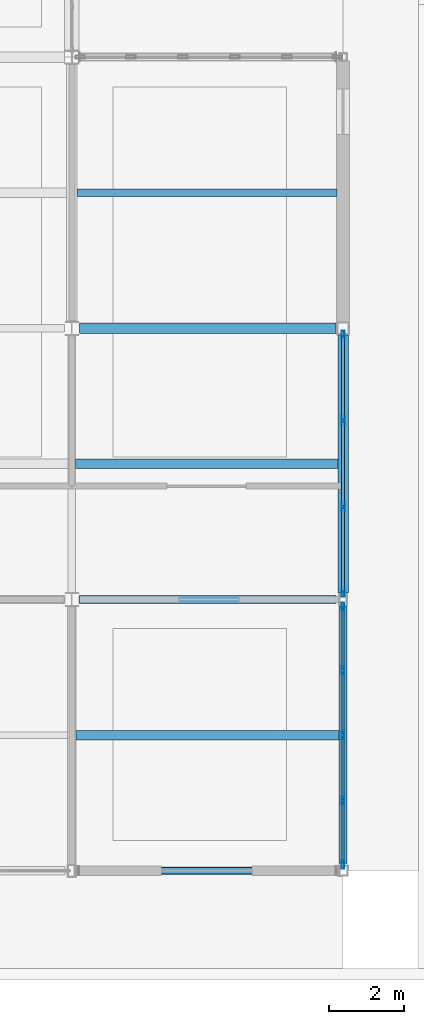
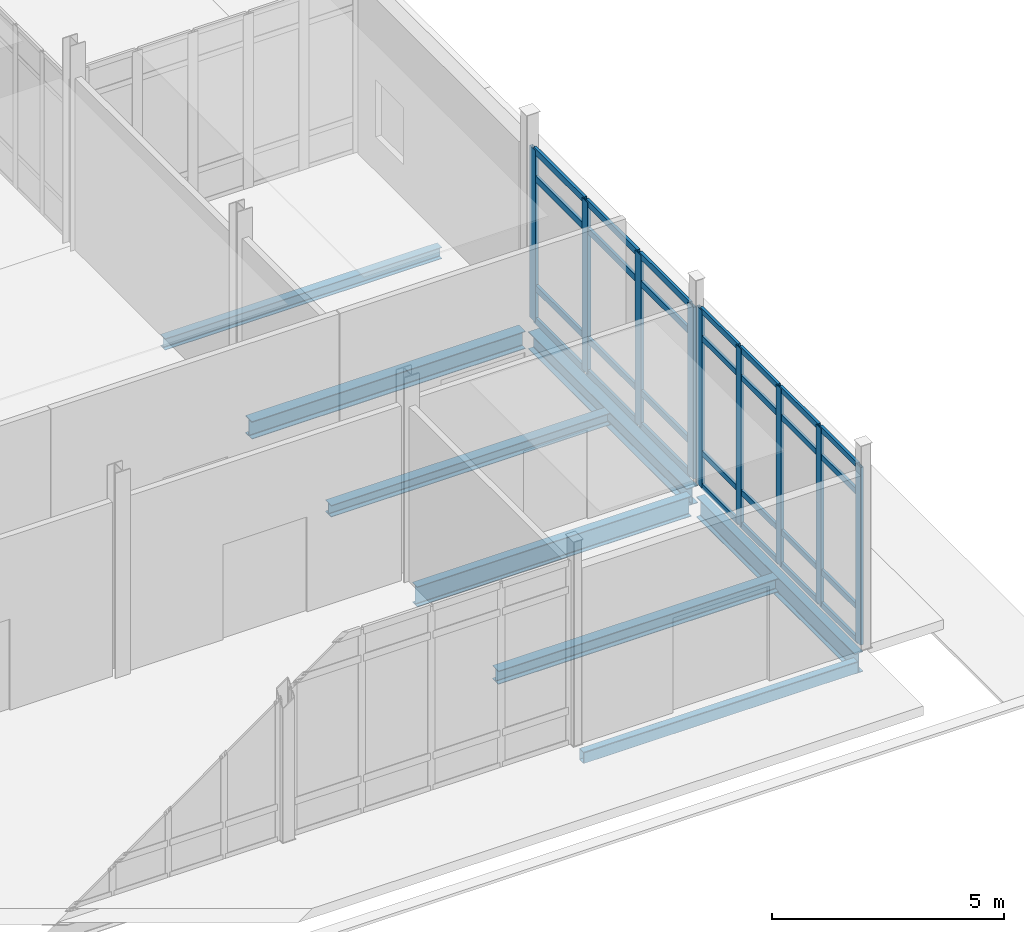
# One storey, part 121 of 229: 37 members, 8 beams, 2 elements without a shape of their own.
"""IFC4 building model written with IfcOpenShell, lengths in metres."""

from ifc_helpers import new_model, si_unit, direction, frame, origin, origin_2d, place, context, subcontext, project, spatial, hollow_rectangle, i_section, extrude, material, layer, layer_set, material_profile, profile_set, type_object, element, aggregate, save


model = new_model("IFC4")

# Units and contexts
model_context = context("Model", 3, precision=1e-05, world=origin(), true_north=direction((0.0, 1.0)))
body_context = subcontext(model_context, "Body", "Model", "MODEL_VIEW")
ifc_project = project(units=[si_unit("LENGTHUNIT", "METRE"), si_unit("AREAUNIT", "SQUARE_METRE"), si_unit("VOLUMEUNIT", "CUBIC_METRE"), si_unit("PLANEANGLEUNIT", "RADIAN"), si_unit("MASSUNIT", "GRAM", prefix="KILO")], contexts=[model_context])

# Site, building, storey
site_placement = place(None, origin())
site = spatial("IfcSite", under=ifc_project, at=site_placement, CompositionType="ELEMENT")
building_placement = place(site_placement, origin())
building = spatial("IfcBuilding", under=site, at=building_placement, Name="Calvrana Isthmian Art Gallery", CompositionType="ELEMENT")
storey_placement = place(building_placement, origin())
storey = spatial("IfcBuildingStorey", under=building, at=storey_placement, Name="L00", CompositionType="ELEMENT", Elevation=0.0)

# Beams
ifc_material_1 = material(Name="Steel ASTM A992 Gr 50", Category="steel")
ifc_material_profile_1 = material_profile(ifc_material_1, i_section(OverallWidth=0.279052734375, OverallDepth=0.4619140625, WebThickness=0.0107421875, FlangeThickness=0.017333984375, FilletRadius=0.02001953125, at=origin_2d()), Name="W18X76")
ifc_profile_set_1 = profile_set([ifc_material_profile_1], Name="Steel ASTM A992 Gr 50")
beam_type_1 = type_object("IfcBeamType", Name="BM-G-W18X76", PredefinedType="BEAM", material=ifc_profile_set_1)
beam_1_placement = place(storey_placement, frame((156.197998046875, 14.39990234375, -0.51611328125), z_axis=(1.0, 0.0, 0.0), x_axis=(0.0, 1.0, 0.0)))
element("IfcBeam", 1, at=beam_1_placement, inside=storey, type_object=beam_type_1, Name="Girder X L00 21-22/C", PredefinedType="BEAM", context=body_context, shape_type="SweptSolid", body=[
    extrude(i_section(OverallWidth=0.279052734375, OverallDepth=0.4619140625, WebThickness=0.0107421875, FlangeThickness=0.017333984375, FilletRadius=0.02001953125, at=origin_2d()), origin(), (0.0, 0.0, 1.0), 6.81640625),
])
beam_2_placement = place(storey_placement, frame((163.199951171875, 7.3779296875, -0.51611328125), z_axis=(0.0, 1.0, 0.0), x_axis=(-1.0, 0.0, 0.0)))
element("IfcBeam", 2, at=beam_2_placement, inside=storey, type_object=beam_type_1, Name="Girder Y L00 22/B-C", PredefinedType="BEAM", context=body_context, shape_type="SweptSolid", body=[
    extrude(i_section(OverallWidth=0.279052734375, OverallDepth=0.4619140625, WebThickness=0.0107421875, FlangeThickness=0.017333984375, FilletRadius=0.02001953125, at=origin_2d()), origin(), (0.0, 0.0, 1.0), 6.840576171875),
])
ifc_material_profile_2 = material_profile(ifc_material_1, i_section(OverallWidth=0.208984375, OverallDepth=0.532958984375, WebThickness=0.01025390625, FlangeThickness=0.015625, FilletRadius=0.02099609375, at=origin_2d()), Name="W21X62")
ifc_profile_set_2 = profile_set([ifc_material_profile_2], Name="Steel ASTM A992 Gr 50")
beam_type_2 = type_object("IfcBeamType", Name="BM-G-W21X62", PredefinedType="BEAM", material=ifc_profile_set_2)
beam_3_placement = place(storey_placement, frame((156.185546875, 7.199951171875, -0.551513671875), z_axis=(1.0, 0.0, 0.0), x_axis=(0.0, 1.0, 0.0)))
element("IfcBeam", 3, at=beam_3_placement, inside=storey, type_object=beam_type_2, Name="Girder X L00 21-22/B", PredefinedType="BEAM", context=body_context, shape_type="SweptSolid", body=[
    extrude(i_section(OverallWidth=0.208984375, OverallDepth=0.532958984375, WebThickness=0.01025390625, FlangeThickness=0.015625, FilletRadius=0.02099609375, at=origin_2d()), origin(), (0.0, 0.0, 1.0), 6.83056640625),
])
beam_4_placement = place(storey_placement, frame((163.199951171875, 0.1865234375, -0.551513671875), z_axis=(0.0, 1.0, 0.0), x_axis=(-1.0, 0.0, 0.0)))
element("IfcBeam", 4, at=beam_4_placement, inside=storey, type_object=beam_type_2, Name="Girder Y L00 22/A-B", PredefinedType="BEAM", context=body_context, shape_type="SweptSolid", body=[
    extrude(i_section(OverallWidth=0.208984375, OverallDepth=0.532958984375, WebThickness=0.01025390625, FlangeThickness=0.015625, FilletRadius=0.02099609375, at=origin_2d()), origin(), (0.0, 0.0, 1.0), 6.83544921875),
])
ifc_material_profile_3 = material_profile(ifc_material_1, i_section(OverallWidth=0.202880859375, OverallDepth=0.302001953125, WebThickness=0.007568359375, FlangeThickness=0.01318359375, FilletRadius=0.01611328125, at=origin_2d()), Name="W12X40")
ifc_profile_set_3 = profile_set([ifc_material_profile_3], Name="Steel ASTM A992 Gr 50")
beam_type_3 = type_object("IfcBeamType", Name="BM-J-W12X40", PredefinedType="JOIST", material=ifc_profile_set_3)
beam_5_placement = place(storey_placement, frame((156.139404296875, 18.0, -0.43603515625), z_axis=(1.0, 0.0, 0.0), x_axis=(0.0, 1.0, 0.0)))
element("IfcBeam", 5, at=beam_5_placement, inside=storey, type_object=beam_type_3, Name="Composite joist L00 bay 20-02", PredefinedType="JOIST", context=body_context, shape_type="SweptSolid", body=[
    extrude(i_section(OverallWidth=0.202880859375, OverallDepth=0.302001953125, WebThickness=0.007568359375, FlangeThickness=0.01318359375, FilletRadius=0.01611328125, at=origin_2d()), origin(), (0.0, 0.0, 1.0), 6.898193359375),
])
ifc_material_profile_4 = material_profile(ifc_material_1, i_section(OverallWidth=0.25390625, OverallDepth=0.306884765625, WebThickness=0.0087890625, FlangeThickness=0.0146484375, FilletRadius=0.01611328125, at=origin_2d()), Name="W12X53")
ifc_profile_set_4 = profile_set([ifc_material_profile_4], Name="Steel ASTM A992 Gr 50")
beam_type_4 = type_object("IfcBeamType", Name="BM-J-W12X53", PredefinedType="JOIST", material=ifc_profile_set_4)
beam_6_placement = place(storey_placement, frame((156.1044921875, 10.800048828125, -0.4384765625), z_axis=(1.0, 0.0, 0.0), x_axis=(0.0, 1.0, 0.0)))
element("IfcBeam", 6, at=beam_6_placement, inside=storey, type_object=beam_type_4, Name="Composite joist L00 bay 20-01", PredefinedType="JOIST", context=body_context, shape_type="SweptSolid", body=[
    extrude(i_section(OverallWidth=0.25390625, OverallDepth=0.306884765625, WebThickness=0.0087890625, FlangeThickness=0.0146484375, FilletRadius=0.01611328125, at=origin_2d()), origin(), (0.0, 0.0, 1.0), 6.9560546875),
])
ifc_material_profile_5 = material_profile(ifc_material_1, i_section(OverallWidth=0.25390625, OverallDepth=0.35302734375, WebThickness=0.009521484375, FlangeThickness=0.016357421875, FilletRadius=0.01806640625, at=origin_2d()), Name="W14X61")
ifc_profile_set_5 = profile_set([ifc_material_profile_5], Name="Steel ASTM A992 Gr 50")
beam_type_5 = type_object("IfcBeamType", Name="BM-J-W14X61", PredefinedType="JOIST", material=ifc_profile_set_5)
beam_7_placement = place(storey_placement, frame((156.114013671875, 3.60009765625, -0.46142578125), z_axis=(1.0, 0.0, 0.0), x_axis=(0.0, 1.0, 0.0)))
element("IfcBeam", 7, at=beam_7_placement, inside=storey, type_object=beam_type_5, Name="Composite joist L00 bay 20-00", PredefinedType="JOIST", context=body_context, shape_type="SweptSolid", body=[
    extrude(i_section(OverallWidth=0.25390625, OverallDepth=0.35302734375, WebThickness=0.009521484375, FlangeThickness=0.016357421875, FilletRadius=0.01806640625, at=origin_2d()), origin(), (0.0, 0.0, 1.0), 6.9814453125),
])
ifc_material_2 = material(Name="Steel ASTM A500 Gr C", Category="steel")
ifc_material_profile_6 = material_profile(ifc_material_2, hollow_rectangle(XDim=0.203125, YDim=0.3046875, WallThickness=0.0126953125, OuterFilletRadius=0.02490234375, at=origin_2d()), Name="HSS305X203X12.7")
ifc_profile_set_6 = profile_set([ifc_material_profile_6], Name="Steel ASTM A500 Gr C")
beam_type_6 = type_object("IfcBeamType", Name="BM-SP-HSS305", PredefinedType="SPANDREL", material=ifc_profile_set_6)
beam_8_placement = place(storey_placement, frame((156.18408203125, 0.0, -0.4375), z_axis=(1.0, 0.0, 0.0), x_axis=(0.0, 1.0, 0.0)))
element("IfcBeam", 8, at=beam_8_placement, inside=storey, type_object=beam_type_6, Name="Girder X L00 21-22/A", PredefinedType="SPANDREL", context=body_context, shape_type="SweptSolid", body=[
    extrude(hollow_rectangle(XDim=0.203125, YDim=0.3046875, WallThickness=0.0126953125, OuterFilletRadius=0.02490234375, at=origin_2d()), origin(), (0.0, 0.0, 1.0), 6.829345703125),
])

# Curtain wall, members
ifc_material_3 = material(Name="Anodized bronze aluminium 6063-T6", Category="aluminium")
ifc_layer_1 = layer(ifc_material_3, 0.179931640625, Name="Anodized bronze aluminium 6063-T6")
ifc_layer_set_1 = layer_set([ifc_layer_1], Name="Anodized bronze aluminium 6063-T6")
curtain_wall_type_1 = type_object("IfcCurtainWallType", Name="CW-UNIT-069X47", PredefinedType="USERDEFINED", material=ifc_layer_set_1)
curtain_wall_1_placement = place(storey_placement, origin())
curtain_wall_1 = element("IfcCurtainWall", 9, at=curtain_wall_1_placement, inside=storey, type_object=curtain_wall_type_1, Name="Curtain wall CW-082", ObjectType="UNITISED CURTAIN WALL", PredefinedType="USERDEFINED")
ifc_material_profile_7 = material_profile(ifc_material_3, hollow_rectangle(XDim=0.074951171875, YDim=0.219970703125, WallThickness=0.0048828125, at=origin_2d()), Name="CWM75X220")
ifc_profile_set_7 = profile_set([ifc_material_profile_7], Name="Anodized bronze aluminium 6063-T6")
member_type_1 = type_object("IfcMemberType", Name="CWM-CWM75X220", PredefinedType="MULLION", material=ifc_profile_set_7)
member_1_placement = place(storey_placement, frame((163.199951171875, 7.010009765625, 0.0), z_axis=(0.0, 0.0, 1.0), x_axis=(1.0, 0.0, 0.0)))
member_1 = element("IfcMember", 10, at=member_1_placement, type_object=member_type_1, Name="CW-082 mullion 1", PredefinedType="MULLION", context=body_context, shape_type="SweptSolid", body=[
    extrude(hollow_rectangle(XDim=0.074951171875, YDim=0.219970703125, WallThickness=0.0048828125, at=origin_2d()), origin(), (0.0, 0.0, 1.0), 4.677978515625),
])
member_2_placement = place(storey_placement, frame((163.199951171875, 5.3173828125, 0.0), z_axis=(0.0, 0.0, 1.0), x_axis=(1.0, 0.0, 0.0)))
member_2 = element("IfcMember", 11, at=member_2_placement, type_object=member_type_1, Name="CW-082 mullion 2", PredefinedType="MULLION", context=body_context, shape_type="SweptSolid", body=[
    extrude(hollow_rectangle(XDim=0.074951171875, YDim=0.219970703125, WallThickness=0.0048828125, at=origin_2d()), origin(), (0.0, 0.0, 1.0), 4.677978515625),
])
member_3_placement = place(storey_placement, frame((163.199951171875, 3.58740234375, 0.0), z_axis=(0.0, 0.0, 1.0), x_axis=(1.0, 0.0, 0.0)))
member_3 = element("IfcMember", 12, at=member_3_placement, type_object=member_type_1, Name="CW-082 mullion 3", PredefinedType="MULLION", context=body_context, shape_type="SweptSolid", body=[
    extrude(hollow_rectangle(XDim=0.074951171875, YDim=0.219970703125, WallThickness=0.0048828125, at=origin_2d()), origin(), (0.0, 0.0, 1.0), 4.677978515625),
])
member_4_placement = place(storey_placement, frame((163.199951171875, 1.857177734375, 0.0), z_axis=(0.0, 0.0, 1.0), x_axis=(1.0, 0.0, 0.0)))
member_4 = element("IfcMember", 13, at=member_4_placement, type_object=member_type_1, Name="CW-082 mullion 4", PredefinedType="MULLION", context=body_context, shape_type="SweptSolid", body=[
    extrude(hollow_rectangle(XDim=0.074951171875, YDim=0.219970703125, WallThickness=0.0048828125, at=origin_2d()), origin(), (0.0, 0.0, 1.0), 4.677978515625),
])
member_5_placement = place(storey_placement, frame((163.199951171875, 0.16455078125, 0.0), z_axis=(0.0, 0.0, 1.0), x_axis=(1.0, 0.0, 0.0)))
member_5 = element("IfcMember", 14, at=member_5_placement, type_object=member_type_1, Name="CW-082 mullion 5", PredefinedType="MULLION", context=body_context, shape_type="SweptSolid", body=[
    extrude(hollow_rectangle(XDim=0.074951171875, YDim=0.219970703125, WallThickness=0.0048828125, at=origin_2d()), origin(), (0.0, 0.0, 1.0), 4.677978515625),
])

ifc_layer_2 = layer(ifc_material_3, 0.179931640625, Name="Anodized bronze aluminium 6063-T6")
ifc_layer_set_2 = layer_set([ifc_layer_2], Name="Anodized bronze aluminium 6063-T6")
curtain_wall_type_2 = type_object("IfcCurtainWallType", Name="CW-UNIT-069X45", PredefinedType="USERDEFINED", material=ifc_layer_set_2)
curtain_wall_2_placement = place(storey_placement, origin())
curtain_wall_2 = element("IfcCurtainWall", 15, at=curtain_wall_2_placement, inside=storey, type_object=curtain_wall_type_2, Name="Curtain wall CW-083", ObjectType="UNITISED CURTAIN WALL", PredefinedType="USERDEFINED")
ifc_material_profile_8 = material_profile(ifc_material_3, hollow_rectangle(XDim=0.080078125, YDim=0.25, WallThickness=0.005615234375, at=origin_2d()), Name="CWM80X250")
ifc_profile_set_8 = profile_set([ifc_material_profile_8], Name="Anodized bronze aluminium 6063-T6")
member_type_2 = type_object("IfcMemberType", Name="CWM-CWM80X250", PredefinedType="MULLION", material=ifc_profile_set_8)
member_6_placement = place(storey_placement, frame((163.199951171875, 14.20751953125, 0.0), z_axis=(0.0, 0.0, 1.0), x_axis=(1.0, 0.0, 0.0)))
member_6 = element("IfcMember", 16, at=member_6_placement, type_object=member_type_2, Name="CW-083 mullion 1", PredefinedType="MULLION", context=body_context, shape_type="SweptSolid", body=[
    extrude(hollow_rectangle(XDim=0.080078125, YDim=0.25, WallThickness=0.005615234375, at=origin_2d()), origin(), (0.0, 0.0, 1.0), 4.528076171875),
])
member_7_placement = place(storey_placement, frame((163.199951171875, 11.94921875, 0.0), z_axis=(0.0, 0.0, 1.0), x_axis=(1.0, 0.0, 0.0)))
member_7 = element("IfcMember", 17, at=member_7_placement, type_object=member_type_2, Name="CW-083 mullion 2", PredefinedType="MULLION", context=body_context, shape_type="SweptSolid", body=[
    extrude(hollow_rectangle(XDim=0.080078125, YDim=0.25, WallThickness=0.005615234375, at=origin_2d()), origin(), (0.0, 0.0, 1.0), 4.528076171875),
])
member_8_placement = place(storey_placement, frame((163.199951171875, 9.65087890625, 0.0), z_axis=(0.0, 0.0, 1.0), x_axis=(1.0, 0.0, 0.0)))
member_8 = element("IfcMember", 18, at=member_8_placement, type_object=member_type_2, Name="CW-083 mullion 3", PredefinedType="MULLION", context=body_context, shape_type="SweptSolid", body=[
    extrude(hollow_rectangle(XDim=0.080078125, YDim=0.25, WallThickness=0.005615234375, at=origin_2d()), origin(), (0.0, 0.0, 1.0), 4.528076171875),
])
member_9_placement = place(storey_placement, frame((163.199951171875, 7.392333984375, 0.0), z_axis=(0.0, 0.0, 1.0), x_axis=(1.0, 0.0, 0.0)))
member_9 = element("IfcMember", 19, at=member_9_placement, type_object=member_type_2, Name="CW-083 mullion 4", PredefinedType="MULLION", context=body_context, shape_type="SweptSolid", body=[
    extrude(hollow_rectangle(XDim=0.080078125, YDim=0.25, WallThickness=0.005615234375, at=origin_2d()), origin(), (0.0, 0.0, 1.0), 4.528076171875),
])

# Member
ifc_material_profile_9 = material_profile(ifc_material_3, hollow_rectangle(XDim=0.06494140625, YDim=0.14990234375, WallThickness=0.00390625, at=origin_2d()), Name="CWT65X150")
ifc_profile_set_9 = profile_set([ifc_material_profile_9], Name="Anodized bronze aluminium 6063-T6")
member_type_3 = type_object("IfcMemberType", Name="CWT-CWT65X150", PredefinedType="USERDEFINED", material=ifc_profile_set_9)
member_10_placement = place(storey_placement, frame((163.199951171875, 6.97265625, 0.032470703125), z_axis=(0.0, -1.0, 0.0), x_axis=(1.0, 0.0, 0.0)))
member_10 = element("IfcMember", 20, at=member_10_placement, type_object=member_type_3, Name="CW-082 transom 1.1", ObjectType="TRANSOM", PredefinedType="USERDEFINED", context=body_context, shape_type="SweptSolid", body=[
    extrude(hollow_rectangle(XDim=0.06494140625, YDim=0.14990234375, WallThickness=0.00390625, at=origin_2d()), origin(), (0.0, 0.0, 1.0), 1.61767578125),
])

member_11_placement = place(storey_placement, frame((163.199951171875, 6.97265625, 0.89990234375), z_axis=(0.0, -1.0, 0.0), x_axis=(1.0, 0.0, 0.0)))
member_11 = element("IfcMember", 21, at=member_11_placement, type_object=member_type_3, Name="CW-082 transom 1.2", ObjectType="TRANSOM", PredefinedType="USERDEFINED", context=body_context, shape_type="SweptSolid", body=[
    extrude(hollow_rectangle(XDim=0.06494140625, YDim=0.14990234375, WallThickness=0.00390625, at=origin_2d()), origin(), (0.0, 0.0, 1.0), 1.61767578125),
])

member_12_placement = place(storey_placement, frame((163.199951171875, 6.97265625, 3.927978515625), z_axis=(0.0, -1.0, 0.0), x_axis=(1.0, 0.0, 0.0)))
member_12 = element("IfcMember", 22, at=member_12_placement, type_object=member_type_3, Name="CW-082 transom 1.3", ObjectType="TRANSOM", PredefinedType="USERDEFINED", context=body_context, shape_type="SweptSolid", body=[
    extrude(hollow_rectangle(XDim=0.06494140625, YDim=0.14990234375, WallThickness=0.00390625, at=origin_2d()), origin(), (0.0, 0.0, 1.0), 1.61767578125),
])

member_13_placement = place(storey_placement, frame((163.199951171875, 6.97265625, 4.6455078125), z_axis=(0.0, -1.0, 0.0), x_axis=(1.0, 0.0, 0.0)))
member_13 = element("IfcMember", 23, at=member_13_placement, type_object=member_type_3, Name="CW-082 transom 1.4", ObjectType="TRANSOM", PredefinedType="USERDEFINED", context=body_context, shape_type="SweptSolid", body=[
    extrude(hollow_rectangle(XDim=0.06494140625, YDim=0.14990234375, WallThickness=0.00390625, at=origin_2d()), origin(), (0.0, 0.0, 1.0), 1.61767578125),
])

member_14_placement = place(storey_placement, frame((163.199951171875, 5.280029296875, 0.032470703125), z_axis=(0.0, -1.0, 0.0), x_axis=(1.0, 0.0, 0.0)))
member_14 = element("IfcMember", 24, at=member_14_placement, type_object=member_type_3, Name="CW-082 transom 2.1", ObjectType="TRANSOM", PredefinedType="USERDEFINED", context=body_context, shape_type="SweptSolid", body=[
    extrude(hollow_rectangle(XDim=0.06494140625, YDim=0.14990234375, WallThickness=0.00390625, at=origin_2d()), origin(), (0.0, 0.0, 1.0), 1.6552734375),
])

member_15_placement = place(storey_placement, frame((163.199951171875, 5.280029296875, 0.89990234375), z_axis=(0.0, -1.0, 0.0), x_axis=(1.0, 0.0, 0.0)))
member_15 = element("IfcMember", 25, at=member_15_placement, type_object=member_type_3, Name="CW-082 transom 2.2", ObjectType="TRANSOM", PredefinedType="USERDEFINED", context=body_context, shape_type="SweptSolid", body=[
    extrude(hollow_rectangle(XDim=0.06494140625, YDim=0.14990234375, WallThickness=0.00390625, at=origin_2d()), origin(), (0.0, 0.0, 1.0), 1.6552734375),
])

member_16_placement = place(storey_placement, frame((163.199951171875, 5.280029296875, 3.927978515625), z_axis=(0.0, -1.0, 0.0), x_axis=(1.0, 0.0, 0.0)))
member_16 = element("IfcMember", 26, at=member_16_placement, type_object=member_type_3, Name="CW-082 transom 2.3", ObjectType="TRANSOM", PredefinedType="USERDEFINED", context=body_context, shape_type="SweptSolid", body=[
    extrude(hollow_rectangle(XDim=0.06494140625, YDim=0.14990234375, WallThickness=0.00390625, at=origin_2d()), origin(), (0.0, 0.0, 1.0), 1.6552734375),
])

member_17_placement = place(storey_placement, frame((163.199951171875, 5.280029296875, 4.6455078125), z_axis=(0.0, -1.0, 0.0), x_axis=(1.0, 0.0, 0.0)))
member_17 = element("IfcMember", 27, at=member_17_placement, type_object=member_type_3, Name="CW-082 transom 2.4", ObjectType="TRANSOM", PredefinedType="USERDEFINED", context=body_context, shape_type="SweptSolid", body=[
    extrude(hollow_rectangle(XDim=0.06494140625, YDim=0.14990234375, WallThickness=0.00390625, at=origin_2d()), origin(), (0.0, 0.0, 1.0), 1.6552734375),
])

member_18_placement = place(storey_placement, frame((163.199951171875, 3.5498046875, 0.032470703125), z_axis=(0.0, -1.0, 0.0), x_axis=(1.0, 0.0, 0.0)))
member_18 = element("IfcMember", 28, at=member_18_placement, type_object=member_type_3, Name="CW-082 transom 3.1", ObjectType="TRANSOM", PredefinedType="USERDEFINED", context=body_context, shape_type="SweptSolid", body=[
    extrude(hollow_rectangle(XDim=0.06494140625, YDim=0.14990234375, WallThickness=0.00390625, at=origin_2d()), origin(), (0.0, 0.0, 1.0), 1.6552734375),
])

member_19_placement = place(storey_placement, frame((163.199951171875, 3.5498046875, 0.89990234375), z_axis=(0.0, -1.0, 0.0), x_axis=(1.0, 0.0, 0.0)))
member_19 = element("IfcMember", 29, at=member_19_placement, type_object=member_type_3, Name="CW-082 transom 3.2", ObjectType="TRANSOM", PredefinedType="USERDEFINED", context=body_context, shape_type="SweptSolid", body=[
    extrude(hollow_rectangle(XDim=0.06494140625, YDim=0.14990234375, WallThickness=0.00390625, at=origin_2d()), origin(), (0.0, 0.0, 1.0), 1.6552734375),
])

member_20_placement = place(storey_placement, frame((163.199951171875, 3.5498046875, 3.927978515625), z_axis=(0.0, -1.0, 0.0), x_axis=(1.0, 0.0, 0.0)))
member_20 = element("IfcMember", 30, at=member_20_placement, type_object=member_type_3, Name="CW-082 transom 3.3", ObjectType="TRANSOM", PredefinedType="USERDEFINED", context=body_context, shape_type="SweptSolid", body=[
    extrude(hollow_rectangle(XDim=0.06494140625, YDim=0.14990234375, WallThickness=0.00390625, at=origin_2d()), origin(), (0.0, 0.0, 1.0), 1.6552734375),
])

member_21_placement = place(storey_placement, frame((163.199951171875, 3.5498046875, 4.6455078125), z_axis=(0.0, -1.0, 0.0), x_axis=(1.0, 0.0, 0.0)))
member_21 = element("IfcMember", 31, at=member_21_placement, type_object=member_type_3, Name="CW-082 transom 3.4", ObjectType="TRANSOM", PredefinedType="USERDEFINED", context=body_context, shape_type="SweptSolid", body=[
    extrude(hollow_rectangle(XDim=0.06494140625, YDim=0.14990234375, WallThickness=0.00390625, at=origin_2d()), origin(), (0.0, 0.0, 1.0), 1.6552734375),
])

member_22_placement = place(storey_placement, frame((163.199951171875, 1.819580078125, 0.032470703125), z_axis=(0.0, -1.0, 0.0), x_axis=(1.0, 0.0, 0.0)))
member_22 = element("IfcMember", 32, at=member_22_placement, type_object=member_type_3, Name="CW-082 transom 4.1", ObjectType="TRANSOM", PredefinedType="USERDEFINED", context=body_context, shape_type="SweptSolid", body=[
    extrude(hollow_rectangle(XDim=0.06494140625, YDim=0.14990234375, WallThickness=0.00390625, at=origin_2d()), origin(), (0.0, 0.0, 1.0), 1.61767578125),
])

member_23_placement = place(storey_placement, frame((163.199951171875, 1.819580078125, 0.89990234375), z_axis=(0.0, -1.0, 0.0), x_axis=(1.0, 0.0, 0.0)))
member_23 = element("IfcMember", 33, at=member_23_placement, type_object=member_type_3, Name="CW-082 transom 4.2", ObjectType="TRANSOM", PredefinedType="USERDEFINED", context=body_context, shape_type="SweptSolid", body=[
    extrude(hollow_rectangle(XDim=0.06494140625, YDim=0.14990234375, WallThickness=0.00390625, at=origin_2d()), origin(), (0.0, 0.0, 1.0), 1.61767578125),
])

member_24_placement = place(storey_placement, frame((163.199951171875, 1.819580078125, 3.927978515625), z_axis=(0.0, -1.0, 0.0), x_axis=(1.0, 0.0, 0.0)))
member_24 = element("IfcMember", 34, at=member_24_placement, type_object=member_type_3, Name="CW-082 transom 4.3", ObjectType="TRANSOM", PredefinedType="USERDEFINED", context=body_context, shape_type="SweptSolid", body=[
    extrude(hollow_rectangle(XDim=0.06494140625, YDim=0.14990234375, WallThickness=0.00390625, at=origin_2d()), origin(), (0.0, 0.0, 1.0), 1.61767578125),
])

member_25_placement = place(storey_placement, frame((163.199951171875, 1.819580078125, 4.6455078125), z_axis=(0.0, -1.0, 0.0), x_axis=(1.0, 0.0, 0.0)))
member_25 = element("IfcMember", 35, at=member_25_placement, type_object=member_type_3, Name="CW-082 transom 4.4", ObjectType="TRANSOM", PredefinedType="USERDEFINED", context=body_context, shape_type="SweptSolid", body=[
    extrude(hollow_rectangle(XDim=0.06494140625, YDim=0.14990234375, WallThickness=0.00390625, at=origin_2d()), origin(), (0.0, 0.0, 1.0), 1.61767578125),
])

aggregate(curtain_wall_1, [member_1, member_2, member_3, member_4, member_5, member_10, member_11, member_12, member_13, member_14, member_15, member_16, member_17, member_18, member_19, member_20, member_21, member_22, member_23, member_24, member_25])

ifc_material_profile_10 = material_profile(ifc_material_3, hollow_rectangle(XDim=0.070068359375, YDim=0.169921875, WallThickness=0.00439453125, at=origin_2d()), Name="CWT70X170")
ifc_profile_set_10 = profile_set([ifc_material_profile_10], Name="Anodized bronze aluminium 6063-T6")
member_type_4 = type_object("IfcMemberType", Name="CWT-CWT70X170", PredefinedType="USERDEFINED", material=ifc_profile_set_10)
member_26_placement = place(storey_placement, frame((163.199951171875, 14.16748046875, 0.034912109375), z_axis=(0.0, -1.0, 0.0), x_axis=(1.0, 0.0, 0.0)))
member_26 = element("IfcMember", 36, at=member_26_placement, type_object=member_type_4, Name="CW-083 transom 1.1", ObjectType="TRANSOM", PredefinedType="USERDEFINED", context=body_context, shape_type="SweptSolid", body=[
    extrude(hollow_rectangle(XDim=0.070068359375, YDim=0.169921875, WallThickness=0.00439453125, at=origin_2d()), origin(), (0.0, 0.0, 1.0), 2.17822265625),
])

member_27_placement = place(storey_placement, frame((163.199951171875, 14.16748046875, 0.89990234375), z_axis=(0.0, -1.0, 0.0), x_axis=(1.0, 0.0, 0.0)))
member_27 = element("IfcMember", 37, at=member_27_placement, type_object=member_type_4, Name="CW-083 transom 1.2", ObjectType="TRANSOM", PredefinedType="USERDEFINED", context=body_context, shape_type="SweptSolid", body=[
    extrude(hollow_rectangle(XDim=0.070068359375, YDim=0.169921875, WallThickness=0.00439453125, at=origin_2d()), origin(), (0.0, 0.0, 1.0), 2.17822265625),
])

member_28_placement = place(storey_placement, frame((163.199951171875, 14.16748046875, 3.778076171875), z_axis=(0.0, -1.0, 0.0), x_axis=(1.0, 0.0, 0.0)))
member_28 = element("IfcMember", 38, at=member_28_placement, type_object=member_type_4, Name="CW-083 transom 1.3", ObjectType="TRANSOM", PredefinedType="USERDEFINED", context=body_context, shape_type="SweptSolid", body=[
    extrude(hollow_rectangle(XDim=0.070068359375, YDim=0.169921875, WallThickness=0.00439453125, at=origin_2d()), origin(), (0.0, 0.0, 1.0), 2.17822265625),
])

member_29_placement = place(storey_placement, frame((163.199951171875, 14.16748046875, 4.492919921875), z_axis=(0.0, -1.0, 0.0), x_axis=(1.0, 0.0, 0.0)))
member_29 = element("IfcMember", 39, at=member_29_placement, type_object=member_type_4, Name="CW-083 transom 1.4", ObjectType="TRANSOM", PredefinedType="USERDEFINED", context=body_context, shape_type="SweptSolid", body=[
    extrude(hollow_rectangle(XDim=0.070068359375, YDim=0.169921875, WallThickness=0.00439453125, at=origin_2d()), origin(), (0.0, 0.0, 1.0), 2.17822265625),
])

member_30_placement = place(storey_placement, frame((163.199951171875, 11.9091796875, 0.034912109375), z_axis=(0.0, -1.0, 0.0), x_axis=(1.0, 0.0, 0.0)))
member_30 = element("IfcMember", 40, at=member_30_placement, type_object=member_type_4, Name="CW-083 transom 2.1", ObjectType="TRANSOM", PredefinedType="USERDEFINED", context=body_context, shape_type="SweptSolid", body=[
    extrude(hollow_rectangle(XDim=0.070068359375, YDim=0.169921875, WallThickness=0.00439453125, at=origin_2d()), origin(), (0.0, 0.0, 1.0), 2.21826171875),
])

member_31_placement = place(storey_placement, frame((163.199951171875, 11.9091796875, 0.89990234375), z_axis=(0.0, -1.0, 0.0), x_axis=(1.0, 0.0, 0.0)))
member_31 = element("IfcMember", 41, at=member_31_placement, type_object=member_type_4, Name="CW-083 transom 2.2", ObjectType="TRANSOM", PredefinedType="USERDEFINED", context=body_context, shape_type="SweptSolid", body=[
    extrude(hollow_rectangle(XDim=0.070068359375, YDim=0.169921875, WallThickness=0.00439453125, at=origin_2d()), origin(), (0.0, 0.0, 1.0), 2.21826171875),
])

member_32_placement = place(storey_placement, frame((163.199951171875, 11.9091796875, 3.778076171875), z_axis=(0.0, -1.0, 0.0), x_axis=(1.0, 0.0, 0.0)))
member_32 = element("IfcMember", 42, at=member_32_placement, type_object=member_type_4, Name="CW-083 transom 2.3", ObjectType="TRANSOM", PredefinedType="USERDEFINED", context=body_context, shape_type="SweptSolid", body=[
    extrude(hollow_rectangle(XDim=0.070068359375, YDim=0.169921875, WallThickness=0.00439453125, at=origin_2d()), origin(), (0.0, 0.0, 1.0), 2.21826171875),
])

member_33_placement = place(storey_placement, frame((163.199951171875, 11.9091796875, 4.492919921875), z_axis=(0.0, -1.0, 0.0), x_axis=(1.0, 0.0, 0.0)))
member_33 = element("IfcMember", 43, at=member_33_placement, type_object=member_type_4, Name="CW-083 transom 2.4", ObjectType="TRANSOM", PredefinedType="USERDEFINED", context=body_context, shape_type="SweptSolid", body=[
    extrude(hollow_rectangle(XDim=0.070068359375, YDim=0.169921875, WallThickness=0.00439453125, at=origin_2d()), origin(), (0.0, 0.0, 1.0), 2.21826171875),
])

member_34_placement = place(storey_placement, frame((163.199951171875, 9.61083984375, 0.034912109375), z_axis=(0.0, -1.0, 0.0), x_axis=(1.0, 0.0, 0.0)))
member_34 = element("IfcMember", 44, at=member_34_placement, type_object=member_type_4, Name="CW-083 transom 3.1", ObjectType="TRANSOM", PredefinedType="USERDEFINED", context=body_context, shape_type="SweptSolid", body=[
    extrude(hollow_rectangle(XDim=0.070068359375, YDim=0.169921875, WallThickness=0.00439453125, at=origin_2d()), origin(), (0.0, 0.0, 1.0), 2.178466796875),
])

member_35_placement = place(storey_placement, frame((163.199951171875, 9.61083984375, 0.89990234375), z_axis=(0.0, -1.0, 0.0), x_axis=(1.0, 0.0, 0.0)))
member_35 = element("IfcMember", 45, at=member_35_placement, type_object=member_type_4, Name="CW-083 transom 3.2", ObjectType="TRANSOM", PredefinedType="USERDEFINED", context=body_context, shape_type="SweptSolid", body=[
    extrude(hollow_rectangle(XDim=0.070068359375, YDim=0.169921875, WallThickness=0.00439453125, at=origin_2d()), origin(), (0.0, 0.0, 1.0), 2.178466796875),
])

member_36_placement = place(storey_placement, frame((163.199951171875, 9.61083984375, 3.778076171875), z_axis=(0.0, -1.0, 0.0), x_axis=(1.0, 0.0, 0.0)))
member_36 = element("IfcMember", 46, at=member_36_placement, type_object=member_type_4, Name="CW-083 transom 3.3", ObjectType="TRANSOM", PredefinedType="USERDEFINED", context=body_context, shape_type="SweptSolid", body=[
    extrude(hollow_rectangle(XDim=0.070068359375, YDim=0.169921875, WallThickness=0.00439453125, at=origin_2d()), origin(), (0.0, 0.0, 1.0), 2.178466796875),
])

member_37_placement = place(storey_placement, frame((163.199951171875, 9.61083984375, 4.492919921875), z_axis=(0.0, -1.0, 0.0), x_axis=(1.0, 0.0, 0.0)))
member_37 = element("IfcMember", 47, at=member_37_placement, type_object=member_type_4, Name="CW-083 transom 3.4", ObjectType="TRANSOM", PredefinedType="USERDEFINED", context=body_context, shape_type="SweptSolid", body=[
    extrude(hollow_rectangle(XDim=0.070068359375, YDim=0.169921875, WallThickness=0.00439453125, at=origin_2d()), origin(), (0.0, 0.0, 1.0), 2.178466796875),
])

aggregate(curtain_wall_2, [member_6, member_7, member_8, member_9, member_26, member_27, member_28, member_29, member_30, member_31, member_32, member_33, member_34, member_35, member_36, member_37])

save(model, "model.ifc")
